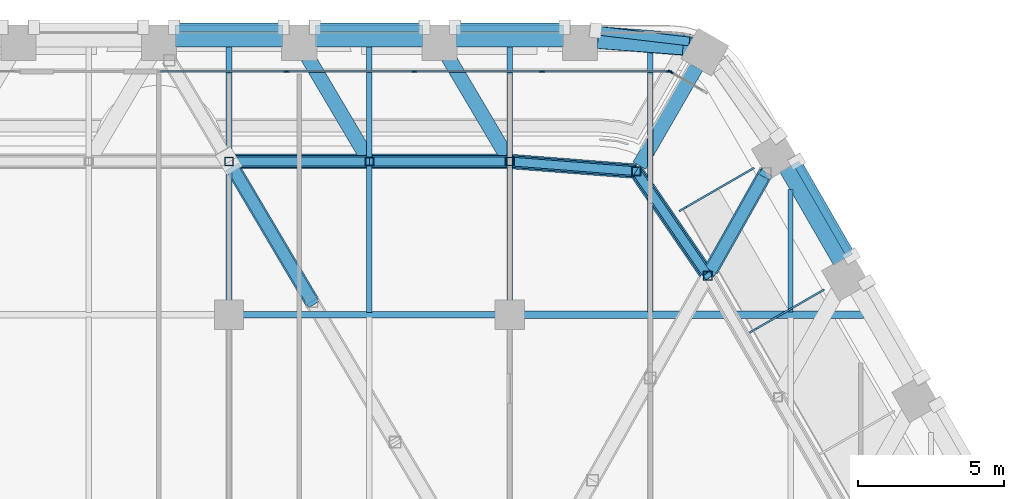
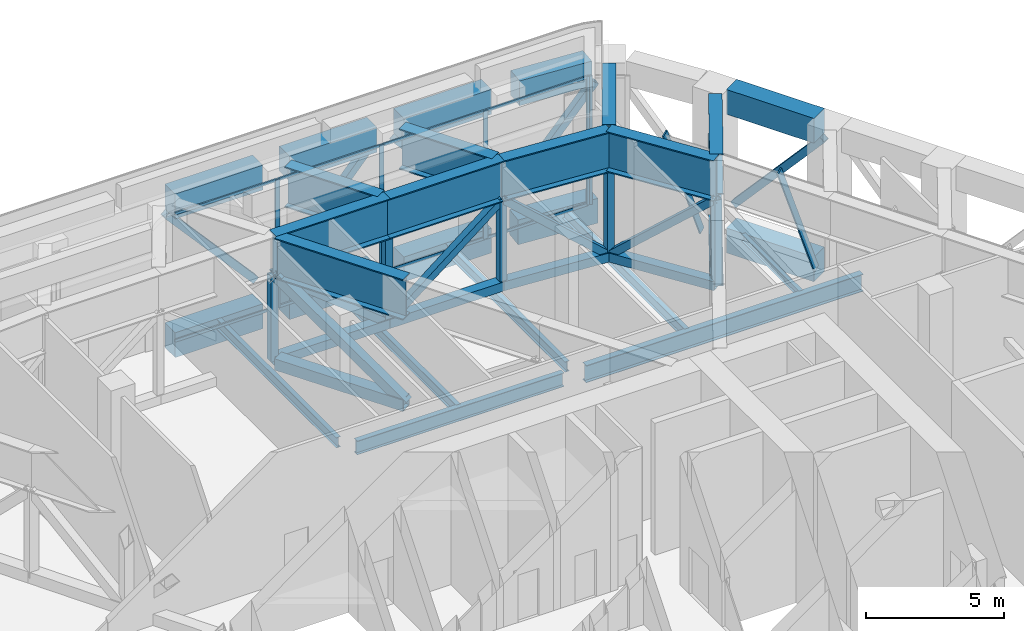
# One storey, part 11 of 27: 37 members, 26 beams, 3 elements without a shape of their own.
"""IFC4 building model written with IfcOpenShell, lengths in metres."""

from ifc_helpers import new_model, si_unit, direction, frame, origin, origin_2d, place, context, subcontext, project, spatial, rectangle, hollow_rectangle, i_section, extrude, material, material_profile, profile_set, type_object, element, aggregate, save


model = new_model("IFC4")

# Units and contexts
model_context = context("Model", 3, precision=1e-05, world=origin(), true_north=direction((0.0, 1.0)))
body_context = subcontext(model_context, "Body", "Model", "MODEL_VIEW")
ifc_project = project(units=[si_unit("LENGTHUNIT", "METRE"), si_unit("AREAUNIT", "SQUARE_METRE"), si_unit("VOLUMEUNIT", "CUBIC_METRE"), si_unit("PLANEANGLEUNIT", "RADIAN"), si_unit("MASSUNIT", "GRAM", prefix="KILO")], contexts=[model_context])

# Site, building, storey
site_placement = place(None, origin())
site = spatial("IfcSite", under=ifc_project, at=site_placement, CompositionType="ELEMENT")
building_placement = place(site_placement, origin())
building = spatial("IfcBuilding", under=site, at=building_placement, Name="Kolab Exchange Tower", CompositionType="ELEMENT")
storey_placement = place(building_placement, frame((0.0, 0.0, 127.39990234375)))
storey = spatial("IfcBuildingStorey", under=building, at=storey_placement, Name="L25", CompositionType="ELEMENT", Elevation=127.39990234375)

# Members
ifc_material_1 = material(Name="Steel S355", Category="steel")
ifc_material_profile_1 = material_profile(ifc_material_1, hollow_rectangle(XDim=0.300048828125, YDim=0.300048828125, WallThickness=0.01611328125, at=origin_2d()), Name="HSS300X300X16")
ifc_profile_set_1 = profile_set([ifc_material_profile_1], Name="Steel S355")
member_type_1 = type_object("IfcMemberType", Name="BELT TRUSS BRACE HSS300X300X16", PredefinedType="BRACE", material=ifc_profile_set_1)
for number, where, z_axis, x_axis, name in (
    (1, (0.0, 24.44140625, 4.050048828125), (0.784045015832, 0.0, -0.620703965791), (0.0, 1.0, 0.0), "mem/L25/ring/d-F1-04"),
    (2, (4.800048828125, 24.44140625, 0.25), (0.784045015832, 0.0, 0.620703965791), (0.0, 1.0, 0.0), "mem/L25/ring/d-F1-05"),
):
    element("IfcMember", number, at=place(storey_placement, frame(where, z_axis=z_axis, x_axis=x_axis)), inside=storey, type_object=member_type_1, Name=name, PredefinedType="BRACE", context=body_context, shape_type="SweptSolid", body=[
        extrude(hollow_rectangle(XDim=0.300048828125, YDim=0.300048828125, WallThickness=0.01611328125, at=origin_2d()), origin(), (0.0, 0.0, 1.0), 6.1220703125),
    ])
for number, where, z_axis, x_axis, name in (
    (3, (9.60009765625, 24.44140625, 4.050048828125), (0.749417906102, -0.058094082849, -0.659543690404), (0.077287073139, 0.997008880766, 0.0), "mem/L25/ring/d-F1-06"),
    (4, (13.91796875, 24.106689453125, 0.25), (0.425043766776, -0.619959660224, 0.659536061198), (0.824773170365, 0.565463718948, 0.0), "mem/L25/ring/d-F2-01"),
):
    element("IfcMember", number, at=place(storey_placement, frame(where, z_axis=z_axis, x_axis=x_axis)), inside=storey, type_object=member_type_1, Name=name, PredefinedType="BRACE", context=body_context, shape_type="SweptSolid", body=[
        extrude(hollow_rectangle(XDim=0.300048828125, YDim=0.300048828125, WallThickness=0.01611328125, at=origin_2d()), origin(), (0.0, 0.0, 1.0), 5.76171875),
    ])
for number, where, z_axis, x_axis, name in (
    (5, (-1.8623046875, 29.026611328125, 4.60009765625), (0.663499572728, 0.0, -0.748176661618), (0.0, 1.0, 0.0), "mem/L25/fb/F1-04"),
    (6, (2.937744140625, 29.026611328125, 0.400146484375), (0.663475226758, 0.0, 0.748198251453), (0.0, 1.0, 0.0), "mem/L25/fb/F1-05"),
    (7, (7.73779296875, 29.026611328125, 4.60009765625), (0.663475226758, 0.0, -0.748198251453), (0.0, 1.0, 0.0), "mem/L25/fb/F1-06"),
):
    element("IfcMember", number, at=place(storey_placement, frame(where, z_axis=z_axis, x_axis=x_axis)), inside=storey, type_object=member_type_1, Name=name, PredefinedType="BRACE", context=body_context, shape_type="SweptSolid", body=[
        extrude(hollow_rectangle(XDim=0.300048828125, YDim=0.300048828125, WallThickness=0.01611328125, at=origin_2d()), origin(), (0.0, 0.0, 1.0), 5.613525390625),
    ])
member_1_placement = place(storey_placement, frame((12.5361328125, 28.91796875, 0.400146484375), z_axis=(0.618051289973, -0.072711916467, 0.782767896739), x_axis=(0.116841247567, 0.993150604323, 0.0)))
element("IfcMember", 8, at=member_1_placement, inside=storey, type_object=member_type_1, Name="mem/L25/fb/F1-07", PredefinedType="BRACE", context=body_context, shape_type="SweptSolid", body=[
    extrude(hollow_rectangle(XDim=0.300048828125, YDim=0.300048828125, WallThickness=0.01611328125, at=origin_2d()), origin(), (0.0, 0.0, 1.0), 5.365478515625),
])
member_2_placement = place(storey_placement, frame((19.40673828125, 24.43994140625, 0.400146484375), z_axis=(0.331720063492, -0.574584208573, 0.748207716303), x_axis=(0.866036031404, 0.49998159197, 0.0)))
element("IfcMember", 9, at=member_2_placement, inside=storey, type_object=member_type_1, Name="mem/L25/fb/F2-02", PredefinedType="BRACE", context=body_context, shape_type="SweptSolid", body=[
    extrude(hollow_rectangle(XDim=0.300048828125, YDim=0.300048828125, WallThickness=0.01611328125, at=origin_2d()), origin(), (0.0, 0.0, 1.0), 5.61328125),
])
ifc_material_profile_2 = material_profile(ifc_material_1, hollow_rectangle(XDim=0.39990234375, YDim=0.39990234375, WallThickness=0.02001953125, at=origin_2d()), Name="HSS400X400X20")
ifc_profile_set_2 = profile_set([ifc_material_profile_2], Name="Steel S355")
member_type_2 = type_object("IfcMemberType", Name="BELT TRUSS CHORD HSS400X400X20", PredefinedType="CHORD", material=ifc_profile_set_2)
for number, where, z_axis, x_axis, name in (
    (10, (0.0, 24.44140625, 0.25), (1.0, 0.0, 0.0), (0.0, 1.0, 0.0), "mem/L25/ring/c-F1-04"),
    (11, (4.800048828125, 24.44140625, 0.25), (1.0, 0.0, 0.0), (0.0, 1.0, 0.0), "mem/L25/ring/c-F1-05"),
):
    element("IfcMember", number, at=place(storey_placement, frame(where, z_axis=z_axis, x_axis=x_axis)), inside=storey, type_object=member_type_2, Name=name, PredefinedType="CHORD", context=body_context, shape_type="SweptSolid", body=[
        extrude(hollow_rectangle(XDim=0.39990234375, YDim=0.39990234375, WallThickness=0.02001953125, at=origin_2d()), origin(), (0.0, 0.0, 1.0), 4.800048828125),
    ])
for number, where, z_axis, x_axis, name in (
    (12, (9.60009765625, 24.44140625, 0.25), (0.997008880766, -0.077287073139, 0.0), (0.077287073139, 0.997008880766, 0.0), "mem/L25/ring/c-F1-06"),
    (13, (13.91796875, 24.106689453125, 0.25), (0.565463718948, -0.824773170365, 0.0), (0.824773170365, 0.565463718948, 0.0), "mem/L25/ring/c-F2-01"),
):
    element("IfcMember", number, at=place(storey_placement, frame(where, z_axis=z_axis, x_axis=x_axis)), inside=storey, type_object=member_type_2, Name=name, PredefinedType="CHORD", context=body_context, shape_type="SweptSolid", body=[
        extrude(hollow_rectangle(XDim=0.39990234375, YDim=0.39990234375, WallThickness=0.02001953125, at=origin_2d()), origin(), (0.0, 0.0, 1.0), 4.330810546875),
    ])

# Beams
ifc_material_profile_3 = material_profile(ifc_material_1, i_section(OverallWidth=0.5, OverallDepth=1.800048828125, WebThickness=0.031982421875, FlangeThickness=0.050048828125, at=origin_2d()), Name="PG1800X500")
ifc_profile_set_3 = profile_set([ifc_material_profile_3], Name="Steel S355")
beam_type_1 = type_object("IfcBeamType", Name="BELT TRUSS GIRDER PG1800X500", PredefinedType="BEAM", material=ifc_profile_set_3)
for number, where, z_axis, x_axis, name in (
    (14, (0.0, 24.44140625, 4.9501953125), (1.0, 0.0, 0.0), (0.0, 1.0, 0.0), "beam/L25/bg/F1-run2"),
    (15, (4.800048828125, 24.44140625, 4.9501953125), (1.0, 0.0, 0.0), (0.0, 1.0, 0.0), "beam/L25/bg/F1-run3"),
):
    element("IfcBeam", number, at=place(storey_placement, frame(where, z_axis=z_axis, x_axis=x_axis)), inside=storey, type_object=beam_type_1, Name=name, PredefinedType="BEAM", context=body_context, shape_type="SweptSolid", body=[
        extrude(i_section(OverallWidth=0.5, OverallDepth=1.800048828125, WebThickness=0.031982421875, FlangeThickness=0.050048828125, at=origin_2d()), origin(), (0.0, 0.0, 1.0), 4.800048828125),
    ])
for number, where, z_axis, x_axis, name in (
    (16, (9.60009765625, 24.44140625, 4.9501953125), (0.997008880766, -0.077287073139, 0.0), (0.077287073139, 0.997008880766, 0.0), "beam/L25/bg/F1-out"),
    (17, (13.91796875, 24.106689453125, 4.9501953125), (0.565463718948, -0.824773170365, 0.0), (0.824773170365, 0.565463718948, 0.0), "beam/L25/bg/F2-in"),
):
    element("IfcBeam", number, at=place(storey_placement, frame(where, z_axis=z_axis, x_axis=x_axis)), inside=storey, type_object=beam_type_1, Name=name, PredefinedType="BEAM", context=body_context, shape_type="SweptSolid", body=[
        extrude(i_section(OverallWidth=0.5, OverallDepth=1.800048828125, WebThickness=0.031982421875, FlangeThickness=0.050048828125, at=origin_2d()), origin(), (0.0, 0.0, 1.0), 4.330810546875),
    ])

# Members
ifc_material_profile_4 = material_profile(ifc_material_1, hollow_rectangle(XDim=0.300048828125, YDim=0.300048828125, WallThickness=0.01611328125, at=origin_2d()), Name="HSS300X300X16")
ifc_profile_set_4 = profile_set([ifc_material_profile_4], Name="Steel S355")
member_type_3 = type_object("IfcMemberType", Name="BELT TRUSS POST HSS300X300X16", PredefinedType="POST", material=ifc_profile_set_4)
for number, where, z_axis, x_axis, name in (
    (18, (0.0, 24.44140625, 0.25), (0.0, 0.0, 1.0), (1.0, 0.0, 0.0), "mem/L25/ring/p-F1-04"),
    (19, (4.800048828125, 24.44140625, 0.25), (0.0, 0.0, 1.0), (1.0, 0.0, 0.0), "mem/L25/ring/p-F1-05"),
    (20, (9.60009765625, 24.44140625, 0.25), (0.0, 0.0, 1.0), (1.0, 0.0, 0.0), "mem/L25/ring/p-F1-06"),
    (21, (13.91796875, 24.106689453125, 0.25), (0.0, 0.0, 1.0), (1.0, 0.0, 0.0), "mem/L25/ring/p-F2-01"),
    (22, (16.366943359375, 20.53466796875, 0.25), (0.0, 0.0, 1.0), (1.0, 0.0, 0.0), "mem/L25/ring/p-F2-02"),
):
    element("IfcMember", number, at=place(storey_placement, frame(where, z_axis=z_axis, x_axis=x_axis)), inside=storey, type_object=member_type_3, Name=name, PredefinedType="POST", context=body_context, shape_type="SweptSolid", body=[
        extrude(hollow_rectangle(XDim=0.300048828125, YDim=0.300048828125, WallThickness=0.01611328125, at=origin_2d()), origin(), (0.0, 0.0, 1.0), 3.800048828125),
    ])

# Curtain wall, members
ifc_material_2 = material(Name="Aluminium EN AW-6063 T6", Category="aluminium")
curtain_wall_type_1 = type_object("IfcCurtainWallType", Name="CANTED BAND CURTAIN WALL", PredefinedType="NOTDEFINED", material=ifc_material_2)
curtain_wall_1_placement = place(storey_placement, origin())
curtain_wall_1 = element("IfcCurtainWall", 23, at=curtain_wall_1_placement, inside=storey, type_object=curtain_wall_type_1, Name="band/L25/F2", PredefinedType="NOTDEFINED")
ifc_material_profile_5 = material_profile(ifc_material_2, rectangle(XDim=0.06005859375, YDim=0.300048828125, at=origin_2d()), Name="RECT 60X300")
ifc_profile_set_5 = profile_set([ifc_material_profile_5], Name="Aluminium EN AW-6063 T6")
member_type_4 = type_object("IfcMemberType", Name="CANTED BAND MULLION 60 X 300", PredefinedType="MULLION", material=ifc_profile_set_5)
member_3_placement = place(storey_placement, frame((17.831787109375, 24.151611328125, -0.099853515625), z_axis=(-0.35583111981, -0.205457248307, 0.911686093616), x_axis=(0.500032956655, -0.866006375415, 0.0)))
member_3 = element("IfcMember", 24, at=member_3_placement, type_object=member_type_4, Name="Band mullion", PredefinedType="MULLION", context=body_context, shape_type="SweptSolid", body=[
    extrude(rectangle(XDim=0.06005859375, YDim=0.300048828125, at=origin_2d()), origin(), (0.0, 0.0, 1.0), 6.515380859375),
])
member_4_placement = place(storey_placement, frame((20.231689453125, 19.99462890625, -0.099853515625), z_axis=(-0.355833859075, -0.205421357987, 0.911693111973), x_axis=(0.499964557259, -0.866045865693, 0.0)))
member_4 = element("IfcMember", 25, at=member_4_placement, type_object=member_type_4, Name="Band mullion", PredefinedType="MULLION", context=body_context, shape_type="SweptSolid", body=[
    extrude(rectangle(XDim=0.06005859375, YDim=0.300048828125, at=origin_2d()), origin(), (0.0, 0.0, 1.0), 6.515380859375),
])
aggregate(curtain_wall_1, [member_3, member_4])

# Beams
ifc_material_profile_6 = material_profile(ifc_material_1, i_section(OverallWidth=0.1650390625, OverallDepth=0.31005859375, WebThickness=0.005859375, FlangeThickness=0.009765625, at=origin_2d()), Name="W310X39")
ifc_profile_set_6 = profile_set([ifc_material_profile_6], Name="Steel S355")
beam_type_2 = type_object("IfcBeamType", Name="FLOOR BEAM W310X39", PredefinedType="BEAM", material=ifc_profile_set_6)
beam_1_placement = place(storey_placement, frame((19.199951171875, 19.29345703125, -0.454833984375), z_axis=(0.0, 1.0, 0.0), x_axis=(-1.0, 0.0, 0.0)))
element("IfcBeam", 26, at=beam_1_placement, inside=storey, type_object=beam_type_2, Name="beam/L25/fr/045", PredefinedType="BEAM", context=body_context, shape_type="SweptSolid", body=[
    extrude(i_section(OverallWidth=0.1650390625, OverallDepth=0.31005859375, WebThickness=0.005859375, FlangeThickness=0.009765625, at=origin_2d()), origin(), (0.0, 0.0, 1.0), 4.18798828125),
])
ifc_material_profile_7 = material_profile(ifc_material_1, i_section(OverallWidth=0.18994140625, OverallDepth=0.45703125, WebThickness=0.009033203125, FlangeThickness=0.014404296875, at=origin_2d()), Name="W460X74")
ifc_profile_set_7 = profile_set([ifc_material_profile_7], Name="Steel S355")
beam_type_3 = type_object("IfcBeamType", Name="FLOOR BEAM W460X74", PredefinedType="BEAM", material=ifc_profile_set_7)
beam_2_placement = place(storey_placement, frame((0.0, 19.659912109375, -0.5283203125), z_axis=(0.0, 1.0, 0.0), x_axis=(-1.0, 0.0, 0.0)))
element("IfcBeam", 27, at=beam_2_placement, inside=storey, type_object=beam_type_3, Name="beam/L25/fr/027", PredefinedType="BEAM", context=body_context, shape_type="SweptSolid", body=[
    extrude(i_section(OverallWidth=0.18994140625, OverallDepth=0.45703125, WebThickness=0.009033203125, FlangeThickness=0.014404296875, at=origin_2d()), origin(), (0.0, 0.0, 1.0), 8.728515625),
])
beam_3_placement = place(storey_placement, frame((4.800048828125, 19.27392578125, -0.5283203125), z_axis=(0.0, 1.0, 0.0), x_axis=(-1.0, 0.0, 0.0)))
element("IfcBeam", 28, at=beam_3_placement, inside=storey, type_object=beam_type_3, Name="beam/L25/fr/031", PredefinedType="BEAM", context=body_context, shape_type="SweptSolid", body=[
    extrude(i_section(OverallWidth=0.18994140625, OverallDepth=0.45703125, WebThickness=0.009033203125, FlangeThickness=0.014404296875, at=origin_2d()), origin(), (0.0, 0.0, 1.0), 9.114501953125),
])
beam_4_placement = place(storey_placement, frame((9.60009765625, 19.659912109375, -0.5283203125), z_axis=(0.0, 1.0, 0.0), x_axis=(-1.0, 0.0, 0.0)))
element("IfcBeam", 29, at=beam_4_placement, inside=storey, type_object=beam_type_3, Name="beam/L25/fr/035", PredefinedType="BEAM", context=body_context, shape_type="SweptSolid", body=[
    extrude(i_section(OverallWidth=0.18994140625, OverallDepth=0.45703125, WebThickness=0.009033203125, FlangeThickness=0.014404296875, at=origin_2d()), origin(), (0.0, 0.0, 1.0), 8.728515625),
])
beam_5_placement = place(storey_placement, frame((14.39990234375, 19.29345703125, -0.5283203125), z_axis=(0.0, 1.0, 0.0), x_axis=(-1.0, 0.0, 0.0)))
element("IfcBeam", 30, at=beam_5_placement, inside=storey, type_object=beam_type_3, Name="beam/L25/fr/039", PredefinedType="BEAM", context=body_context, shape_type="SweptSolid", body=[
    extrude(i_section(OverallWidth=0.18994140625, OverallDepth=0.45703125, WebThickness=0.009033203125, FlangeThickness=0.014404296875, at=origin_2d()), origin(), (0.0, 0.0, 1.0), 8.901123046875),
])
ifc_material_profile_8 = material_profile(ifc_material_1, i_section(OverallWidth=0.22802734375, OverallDepth=0.60791015625, WebThickness=0.01123046875, FlangeThickness=0.017333984375, at=origin_2d()), Name="W610X113")
ifc_profile_set_8 = profile_set([ifc_material_profile_8], Name="Steel S355")
beam_type_4 = type_object("IfcBeamType", Name="FLOOR GIRDER W610X113", PredefinedType="BEAM", material=ifc_profile_set_8)
beam_6_placement = place(storey_placement, frame((0.4599609375, 19.199951171875, -0.60400390625), z_axis=(1.0, 0.0, 0.0), x_axis=(0.0, 1.0, 0.0)))
element("IfcBeam", 31, at=beam_6_placement, inside=storey, type_object=beam_type_4, Name="beam/L25/gd/011", PredefinedType="BEAM", context=body_context, shape_type="SweptSolid", body=[
    extrude(i_section(OverallWidth=0.22802734375, OverallDepth=0.60791015625, WebThickness=0.01123046875, FlangeThickness=0.017333984375, at=origin_2d()), origin(), (0.0, 0.0, 1.0), 8.679931640625),
])
ifc_material_profile_9 = material_profile(ifc_material_1, i_section(OverallWidth=0.26708984375, OverallDepth=0.761962890625, WebThickness=0.014404296875, FlangeThickness=0.021484375, at=origin_2d()), Name="W760X173")
ifc_profile_set_9 = profile_set([ifc_material_profile_9], Name="Steel S355")
beam_type_5 = type_object("IfcBeamType", Name="FLOOR GIRDER W760X173", PredefinedType="BEAM", material=ifc_profile_set_9)
beam_7_placement = place(storey_placement, frame((10.06005859375, 19.199951171875, -0.680908203125), z_axis=(1.0, 0.0, 0.0), x_axis=(0.0, 1.0, 0.0)))
element("IfcBeam", 32, at=beam_7_placement, inside=storey, type_object=beam_type_5, Name="beam/L25/gd/013", PredefinedType="BEAM", context=body_context, shape_type="SweptSolid", body=[
    extrude(i_section(OverallWidth=0.26708984375, OverallDepth=0.761962890625, WebThickness=0.014404296875, FlangeThickness=0.021484375, at=origin_2d()), origin(), (0.0, 0.0, 1.0), 11.628662109375),
])

# Members
ifc_material_profile_10 = material_profile(ifc_material_1, hollow_rectangle(XDim=0.39990234375, YDim=0.39990234375, WallThickness=0.02001953125, at=origin_2d()), Name="HSS400X400X20")
ifc_profile_set_10 = profile_set([ifc_material_profile_10], Name="Steel S355")
member_type_5 = type_object("IfcMemberType", Name="OUTRIGGER BRACE HSS400X400X20", PredefinedType="BRACE", material=ifc_profile_set_10)
member_5_placement = place(storey_placement, frame((2.837890625, 19.644287109375, 0.25), z_axis=(-0.415453053677, 0.702288735202, 0.578091076388), x_axis=(-0.860677232631, -0.509150961141, 0.0)))
element("IfcMember", 33, at=member_5_placement, inside=storey, type_object=member_type_5, Name="mem/L25/out/00/d02", PredefinedType="BRACE", context=body_context, shape_type="SweptSolid", body=[
    extrude(hollow_rectangle(XDim=0.39990234375, YDim=0.39990234375, WallThickness=0.02001953125, at=origin_2d()), origin(), (0.0, 0.0, 1.0), 6.573486328125),
])
member_6_placement = place(storey_placement, frame((16.47021484375, 20.717529296875, 0.25), z_axis=(0.347285416227, 0.61663473787, 0.70650862679), x_axis=(-0.871316769702, 0.490720986749, 0.0)))
element("IfcMember", 34, at=member_6_placement, inside=storey, type_object=member_type_5, Name="mem/L25/out/01/d03", PredefinedType="BRACE", context=body_context, shape_type="SweptSolid", body=[
    extrude(hollow_rectangle(XDim=0.39990234375, YDim=0.39990234375, WallThickness=0.02001953125, at=origin_2d()), origin(), (0.0, 0.0, 1.0), 5.378662109375),
])
ifc_material_profile_11 = material_profile(ifc_material_1, hollow_rectangle(XDim=0.5, YDim=0.5, WallThickness=0.02490234375, at=origin_2d()), Name="HSS500X500X25")
ifc_profile_set_11 = profile_set([ifc_material_profile_11], Name="Steel S355")
member_type_6 = type_object("IfcMemberType", Name="OUTRIGGER CHORD HSS500X500X25", PredefinedType="CHORD", material=ifc_profile_set_11)
member_7_placement = place(storey_placement, frame((2.837890625, 19.644287109375, 0.25), z_axis=(-0.509150961141, 0.860677232631, 0.0), x_axis=(-0.860677232631, -0.509150961141, 0.0)))
element("IfcMember", 35, at=member_7_placement, inside=storey, type_object=member_type_6, Name="mem/L25/out/00/c02", PredefinedType="CHORD", context=body_context, shape_type="SweptSolid", body=[
    extrude(hollow_rectangle(XDim=0.5, YDim=0.5, WallThickness=0.02490234375, at=origin_2d()), origin(), (0.0, 0.0, 1.0), 5.36376953125),
])
member_8_placement = place(storey_placement, frame((16.47021484375, 20.717529296875, 0.25), z_axis=(0.490720986749, 0.871316769702, 0.0), x_axis=(-0.871316769702, 0.490720986749, 0.0)))
element("IfcMember", 36, at=member_8_placement, inside=storey, type_object=member_type_6, Name="mem/L25/out/01/c03", PredefinedType="CHORD", context=body_context, shape_type="SweptSolid", body=[
    extrude(hollow_rectangle(XDim=0.5, YDim=0.5, WallThickness=0.02490234375, at=origin_2d()), origin(), (0.0, 0.0, 1.0), 3.806396484375),
])

# Beams
ifc_material_profile_12 = material_profile(ifc_material_1, i_section(OverallWidth=0.5, OverallDepth=1.800048828125, WebThickness=0.031982421875, FlangeThickness=0.050048828125, at=origin_2d()), Name="PG1800X500")
ifc_profile_set_12 = profile_set([ifc_material_profile_12], Name="Steel S355")
beam_type_6 = type_object("IfcBeamType", Name="OUTRIGGER GIRDER PG1800X500", PredefinedType="BEAM", material=ifc_profile_set_12)
beam_8_placement = place(storey_placement, frame((2.837890625, 19.644287109375, 4.9501953125), z_axis=(-0.509150961141, 0.860677232631, 0.0), x_axis=(-0.860677232631, -0.509150961141, 0.0)))
element("IfcBeam", 37, at=beam_8_placement, inside=storey, type_object=beam_type_6, Name="beam/L25/og/00-02", PredefinedType="BEAM", context=body_context, shape_type="SweptSolid", body=[
    extrude(i_section(OverallWidth=0.5, OverallDepth=1.800048828125, WebThickness=0.031982421875, FlangeThickness=0.050048828125, at=origin_2d()), origin(), (0.0, 0.0, 1.0), 5.36376953125),
])
beam_9_placement = place(storey_placement, frame((16.47021484375, 20.717529296875, 4.9501953125), z_axis=(0.490743303996, 0.87130420037, 0.0), x_axis=(-0.87130420037, 0.490743303996, 0.0)))
element("IfcBeam", 38, at=beam_9_placement, inside=storey, type_object=beam_type_6, Name="beam/L25/og/01-03", PredefinedType="BEAM", context=body_context, shape_type="SweptSolid", body=[
    extrude(i_section(OverallWidth=0.5, OverallDepth=1.800048828125, WebThickness=0.031982421875, FlangeThickness=0.050048828125, at=origin_2d()), origin(), (0.0, 0.0, 1.0), 3.8466796875),
])
ifc_material_3 = material(Name="Concrete C70/85", Category="concrete")
ifc_material_profile_13 = material_profile(ifc_material_3, rectangle(XDim=0.75, YDim=1.10009765625, at=origin_2d()), Name="RC750X1100")
ifc_profile_set_13 = profile_set([ifc_material_profile_13], Name="Concrete C70/85")
beam_type_7 = type_object("IfcBeamType", Name="SPANDREL BEAM 750X1100 C70/85", PredefinedType="BEAM", material=ifc_profile_set_13)
beam_10_placement = place(storey_placement, frame((-1.840087890625, 28.723388671875, -0.849853515625), z_axis=(1.0, 0.0, 0.0), x_axis=(0.0, 1.0, 0.0)))
element("IfcBeam", 39, at=beam_10_placement, inside=storey, type_object=beam_type_7, Name="beam/L25/sp/F1-04", PredefinedType="BEAM", context=body_context, shape_type="SweptSolid", body=[
    extrude(rectangle(XDim=0.75, YDim=1.10009765625, at=origin_2d()), origin(), (0.0, 0.0, 1.0), 3.68017578125),
])
for number, where, z_axis, x_axis, name in (
    (40, (2.9599609375, 28.723388671875, -0.849853515625), (1.0, 0.0, 0.0), (0.0, 1.0, 0.0), "beam/L25/sp/F1-05"),
    (41, (7.760009765625, 28.723388671875, -0.849853515625), (1.0, 0.0, 0.0), (0.0, 1.0, 0.0), "beam/L25/sp/F1-06"),
):
    element("IfcBeam", number, at=place(storey_placement, frame(where, z_axis=z_axis, x_axis=x_axis)), inside=storey, type_object=beam_type_7, Name=name, PredefinedType="BEAM", context=body_context, shape_type="SweptSolid", body=[
        extrude(rectangle(XDim=0.75, YDim=1.10009765625, at=origin_2d()), origin(), (0.0, 0.0, 1.0), 3.679931640625),
    ])
beam_11_placement = place(storey_placement, frame((12.56005859375, 28.678466796875, -0.849853515625), z_axis=(0.996791038408, -0.080047646748, 0.0), x_axis=(0.080047646748, 0.996791038408, 0.0)))
element("IfcBeam", 42, at=beam_11_placement, inside=storey, type_object=beam_type_7, Name="beam/L25/sp/F1-07", PredefinedType="BEAM", context=body_context, shape_type="SweptSolid", body=[
    extrude(rectangle(XDim=0.75, YDim=1.10009765625, at=origin_2d()), origin(), (0.0, 0.0, 1.0), 3.20849609375),
])
for number, where, z_axis, x_axis, name in (
    (43, (19.1552734375, 24.26904296875, -0.849853515625), (0.500013413428, -0.866017659399, 0.0), (0.866017659399, 0.500013413428, 0.0), "beam/L25/sp/F2-02"),
    (44, (-1.840087890625, 28.723388671875, 5.300048828125), (1.0, 0.0, 0.0), (0.0, 1.0, 0.0), "beam/L25/cp/F1-04"),
):
    element("IfcBeam", number, at=place(storey_placement, frame(where, z_axis=z_axis, x_axis=x_axis)), inside=storey, type_object=beam_type_7, Name=name, PredefinedType="BEAM", context=body_context, shape_type="SweptSolid", body=[
        extrude(rectangle(XDim=0.75, YDim=1.10009765625, at=origin_2d()), origin(), (0.0, 0.0, 1.0), 3.68017578125),
    ])
for number, where, z_axis, x_axis, name in (
    (45, (2.9599609375, 28.723388671875, 5.300048828125), (1.0, 0.0, 0.0), (0.0, 1.0, 0.0), "beam/L25/cp/F1-05"),
    (46, (7.760009765625, 28.723388671875, 5.300048828125), (1.0, 0.0, 0.0), (0.0, 1.0, 0.0), "beam/L25/cp/F1-06"),
):
    element("IfcBeam", number, at=place(storey_placement, frame(where, z_axis=z_axis, x_axis=x_axis)), inside=storey, type_object=beam_type_7, Name=name, PredefinedType="BEAM", context=body_context, shape_type="SweptSolid", body=[
        extrude(rectangle(XDim=0.75, YDim=1.10009765625, at=origin_2d()), origin(), (0.0, 0.0, 1.0), 3.679931640625),
    ])
beam_12_placement = place(storey_placement, frame((12.61865234375, 28.677490234375, 5.300048828125), z_axis=(0.997175372509, -0.075108431366, 0.0), x_axis=(0.075108431366, 0.997175372509, 0.0)))
element("IfcBeam", 47, at=beam_12_placement, inside=storey, type_object=beam_type_7, Name="beam/L25/cp/F1-07", PredefinedType="BEAM", context=body_context, shape_type="SweptSolid", body=[
    extrude(rectangle(XDim=0.75, YDim=1.10009765625, at=origin_2d()), origin(), (0.0, 0.0, 1.0), 2.915771484375),
])
beam_13_placement = place(storey_placement, frame((19.1552734375, 24.26904296875, 5.300048828125), z_axis=(0.499963655964, -0.866046386007, 0.0), x_axis=(0.866046386007, 0.499963655964, 0.0)))
element("IfcBeam", 48, at=beam_13_placement, inside=storey, type_object=beam_type_7, Name="beam/L25/cp/F2-02", PredefinedType="BEAM", context=body_context, shape_type="SweptSolid", body=[
    extrude(rectangle(XDim=0.75, YDim=1.10009765625, at=origin_2d()), origin(), (0.0, 0.0, 1.0), 3.679931640625),
])
ifc_material_profile_14 = material_profile(ifc_material_1, i_section(OverallWidth=0.5, OverallDepth=1.800048828125, WebThickness=0.031982421875, FlangeThickness=0.050048828125, at=origin_2d()), Name="PG1800X500")
ifc_profile_set_14 = profile_set([ifc_material_profile_14], Name="Steel S355")
beam_type_8 = type_object("IfcBeamType", Name="TRANSFER GIRDER PG1800X500", PredefinedType="BEAM", material=ifc_profile_set_14)
for number, where, z_axis, x_axis, name in (
    (49, (4.672607421875, 24.65673828125, 4.9501953125), (-0.509142255304, 0.860682382685, 0.0), (-0.860682382685, -0.509142255304, 0.0), "beam/L25/tg/F1-05"),
    (50, (9.47265625, 24.65673828125, 4.9501953125), (-0.509142255304, 0.860682382685, 0.0), (-0.860682382685, -0.509142255304, 0.0), "beam/L25/tg/F1-06"),
):
    element("IfcBeam", number, at=place(storey_placement, frame(where, z_axis=z_axis, x_axis=x_axis)), inside=storey, type_object=beam_type_8, Name=name, PredefinedType="BEAM", context=body_context, shape_type="SweptSolid", body=[
        extrude(i_section(OverallWidth=0.5, OverallDepth=1.800048828125, WebThickness=0.031982421875, FlangeThickness=0.050048828125, at=origin_2d()), origin(), (0.0, 0.0, 1.0), 3.883544921875),
    ])
beam_14_placement = place(storey_placement, frame((14.02783203125, 24.297119140625, 4.9501953125), z_axis=(0.500006760876, 0.866021500355, 0.0), x_axis=(-0.866021500355, 0.500006760876, 0.0)))
element("IfcBeam", 51, at=beam_14_placement, inside=storey, type_object=beam_type_8, Name="beam/L25/tg/F2-01", PredefinedType="BEAM", context=body_context, shape_type="SweptSolid", body=[
    extrude(i_section(OverallWidth=0.5, OverallDepth=1.800048828125, WebThickness=0.031982421875, FlangeThickness=0.050048828125, at=origin_2d()), origin(), (0.0, 0.0, 1.0), 3.89013671875),
])

# Curtain wall, members
curtain_wall_type_2 = type_object("IfcCurtainWallType", Name="UNITISED LOWER MID ZONE BELT CURTAIN WALL", PredefinedType="NOTDEFINED", material=ifc_material_2)
curtain_wall_2_placement = place(storey_placement, origin())
curtain_wall_2 = element("IfcCurtainWall", 52, at=curtain_wall_2_placement, inside=storey, type_object=curtain_wall_type_2, Name="cw/L25/F1-2", PredefinedType="NOTDEFINED")
ifc_material_profile_15 = material_profile(ifc_material_2, rectangle(XDim=0.06005859375, YDim=0.179931640625, at=origin_2d()), Name="RECT 60X180")
ifc_profile_set_15 = profile_set([ifc_material_profile_15], Name="Aluminium EN AW-6063 T6")
member_type_7 = type_object("IfcMemberType", Name="UNITISED LOWER MID ZONE BELT MULLION 60 X 180", PredefinedType="MULLION", material=ifc_profile_set_15)
member_9_placement = place(storey_placement, frame((1.967041015625, 27.5185546875, 0.0), z_axis=(0.0, 0.0, 1.0), x_axis=(0.0, 1.0, 0.0)))
member_9 = element("IfcMember", 53, at=member_9_placement, type_object=member_type_7, Name="CW10 mullion 2", PredefinedType="MULLION", context=body_context, shape_type="SweptSolid", body=[
    extrude(rectangle(XDim=0.06005859375, YDim=0.179931640625, at=origin_2d()), origin(), (0.0, 0.0, 1.0), 5.7001953125),
])
member_10_placement = place(storey_placement, frame((6.333984375, 27.5185546875, 0.0), z_axis=(0.0, 0.0, 1.0), x_axis=(0.0, 1.0, 0.0)))
member_10 = element("IfcMember", 54, at=member_10_placement, type_object=member_type_7, Name="CW10 mullion 3", PredefinedType="MULLION", context=body_context, shape_type="SweptSolid", body=[
    extrude(rectangle(XDim=0.06005859375, YDim=0.179931640625, at=origin_2d()), origin(), (0.0, 0.0, 1.0), 5.7001953125),
])
member_11_placement = place(storey_placement, frame((10.700927734375, 27.5185546875, 0.0), z_axis=(0.0, 0.0, 1.0), x_axis=(0.0, 1.0, 0.0)))
member_11 = element("IfcMember", 55, at=member_11_placement, type_object=member_type_7, Name="CW10 mullion 4", PredefinedType="MULLION", context=body_context, shape_type="SweptSolid", body=[
    extrude(rectangle(XDim=0.06005859375, YDim=0.179931640625, at=origin_2d()), origin(), (0.0, 0.0, 1.0), 5.7001953125),
])
member_12_placement = place(storey_placement, frame((15.037841796875, 27.5185546875, 0.0), z_axis=(0.0, 0.0, 1.0), x_axis=(0.0, 1.0, 0.0)))
member_12 = element("IfcMember", 56, at=member_12_placement, type_object=member_type_7, Name="CW10 mullion 5", PredefinedType="MULLION", context=body_context, shape_type="SweptSolid", body=[
    extrude(rectangle(XDim=0.06005859375, YDim=0.179931640625, at=origin_2d()), origin(), (0.0, 0.0, 1.0), 5.7001953125),
])

# Curtain wall, member
curtain_wall_3_placement = place(storey_placement, origin())
curtain_wall_3 = element("IfcCurtainWall", 57, at=curtain_wall_3_placement, inside=storey, type_object=curtain_wall_type_2, Name="cw/L25/F1F2-corner", PredefinedType="NOTDEFINED")
member_13_placement = place(storey_placement, frame((15.093994140625, 27.50341796875, 0.0), z_axis=(0.0, 0.0, 1.0), x_axis=(0.50000002237, 0.866025390869, 0.0)))
member_13 = element("IfcMember", 58, at=member_13_placement, type_object=member_type_7, Name="CW10 mullion 1", PredefinedType="MULLION", context=body_context, shape_type="SweptSolid", body=[
    extrude(rectangle(XDim=0.06005859375, YDim=0.179931640625, at=origin_2d()), origin(), (0.0, 0.0, 1.0), 5.7001953125),
])
aggregate(curtain_wall_3, [member_13])

# Member
ifc_material_profile_16 = material_profile(ifc_material_2, rectangle(XDim=0.06005859375, YDim=0.1201171875, at=origin_2d()), Name="RECT 60X120")
ifc_profile_set_16 = profile_set([ifc_material_profile_16], Name="Aluminium EN AW-6063 T6")
member_type_8 = type_object("IfcMemberType", Name="UNITISED LOWER MID ZONE BELT TRANSOM 60 X 120", PredefinedType="USERDEFINED", material=ifc_profile_set_16)
member_14_placement = place(storey_placement, frame((-2.340087890625, 27.5185546875, 0.030029296875), z_axis=(1.0, 0.0, 0.0), x_axis=(0.0, 1.0, 0.0)))
member_14 = element("IfcMember", 59, at=member_14_placement, type_object=member_type_8, Name="CW10 transom 1.1", ObjectType="TRANSOM", PredefinedType="USERDEFINED", context=body_context, shape_type="SweptSolid", body=[
    extrude(rectangle(XDim=0.06005859375, YDim=0.1201171875, at=origin_2d()), origin(), (0.0, 0.0, 1.0), 4.277099609375),
])

member_15_placement = place(storey_placement, frame((-2.340087890625, 27.5185546875, 5.670166015625), z_axis=(1.0, 0.0, 0.0), x_axis=(0.0, 1.0, 0.0)))
member_15 = element("IfcMember", 60, at=member_15_placement, type_object=member_type_8, Name="CW10 transom 1.2", ObjectType="TRANSOM", PredefinedType="USERDEFINED", context=body_context, shape_type="SweptSolid", body=[
    extrude(rectangle(XDim=0.06005859375, YDim=0.1201171875, at=origin_2d()), origin(), (0.0, 0.0, 1.0), 4.277099609375),
])

member_16_placement = place(storey_placement, frame((1.9970703125, 27.5185546875, 0.030029296875), z_axis=(1.0, 0.0, 0.0), x_axis=(0.0, 1.0, 0.0)))
member_16 = element("IfcMember", 61, at=member_16_placement, type_object=member_type_8, Name="CW10 transom 2.1", ObjectType="TRANSOM", PredefinedType="USERDEFINED", context=body_context, shape_type="SweptSolid", body=[
    extrude(rectangle(XDim=0.06005859375, YDim=0.1201171875, at=origin_2d()), origin(), (0.0, 0.0, 1.0), 4.306884765625),
])

member_17_placement = place(storey_placement, frame((1.9970703125, 27.5185546875, 5.670166015625), z_axis=(1.0, 0.0, 0.0), x_axis=(0.0, 1.0, 0.0)))
member_17 = element("IfcMember", 62, at=member_17_placement, type_object=member_type_8, Name="CW10 transom 2.2", ObjectType="TRANSOM", PredefinedType="USERDEFINED", context=body_context, shape_type="SweptSolid", body=[
    extrude(rectangle(XDim=0.06005859375, YDim=0.1201171875, at=origin_2d()), origin(), (0.0, 0.0, 1.0), 4.306884765625),
])

member_18_placement = place(storey_placement, frame((6.364013671875, 27.5185546875, 0.030029296875), z_axis=(1.0, 0.0, 0.0), x_axis=(0.0, 1.0, 0.0)))
member_18 = element("IfcMember", 63, at=member_18_placement, type_object=member_type_8, Name="CW10 transom 3.1", ObjectType="TRANSOM", PredefinedType="USERDEFINED", context=body_context, shape_type="SweptSolid", body=[
    extrude(rectangle(XDim=0.06005859375, YDim=0.1201171875, at=origin_2d()), origin(), (0.0, 0.0, 1.0), 4.306884765625),
])

member_19_placement = place(storey_placement, frame((6.364013671875, 27.5185546875, 5.670166015625), z_axis=(1.0, 0.0, 0.0), x_axis=(0.0, 1.0, 0.0)))
member_19 = element("IfcMember", 64, at=member_19_placement, type_object=member_type_8, Name="CW10 transom 3.2", ObjectType="TRANSOM", PredefinedType="USERDEFINED", context=body_context, shape_type="SweptSolid", body=[
    extrude(rectangle(XDim=0.06005859375, YDim=0.1201171875, at=origin_2d()), origin(), (0.0, 0.0, 1.0), 4.306884765625),
])

member_20_placement = place(storey_placement, frame((10.73095703125, 27.5185546875, 0.030029296875), z_axis=(1.0, 0.0, 0.0), x_axis=(0.0, 1.0, 0.0)))
member_20 = element("IfcMember", 65, at=member_20_placement, type_object=member_type_8, Name="CW10 transom 4.1", ObjectType="TRANSOM", PredefinedType="USERDEFINED", context=body_context, shape_type="SweptSolid", body=[
    extrude(rectangle(XDim=0.06005859375, YDim=0.1201171875, at=origin_2d()), origin(), (0.0, 0.0, 1.0), 4.277099609375),
])

member_21_placement = place(storey_placement, frame((10.73095703125, 27.5185546875, 5.670166015625), z_axis=(1.0, 0.0, 0.0), x_axis=(0.0, 1.0, 0.0)))
member_21 = element("IfcMember", 66, at=member_21_placement, type_object=member_type_8, Name="CW10 transom 4.2", ObjectType="TRANSOM", PredefinedType="USERDEFINED", context=body_context, shape_type="SweptSolid", body=[
    extrude(rectangle(XDim=0.06005859375, YDim=0.1201171875, at=origin_2d()), origin(), (0.0, 0.0, 1.0), 4.277099609375),
])

aggregate(curtain_wall_2, [member_9, member_10, member_11, member_12, member_14, member_15, member_16, member_17, member_18, member_19, member_20, member_21])

save(model, "model.ifc")
